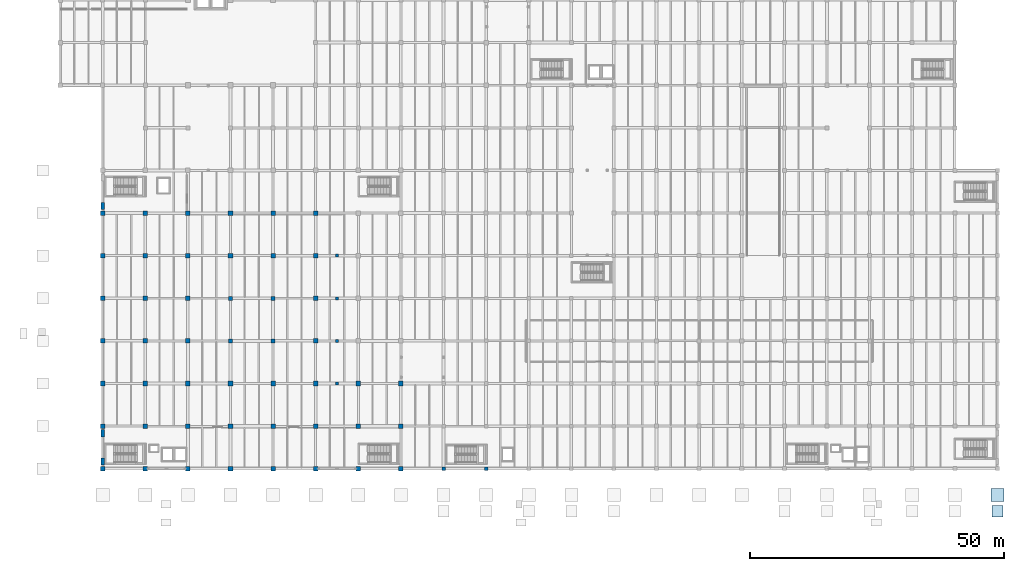
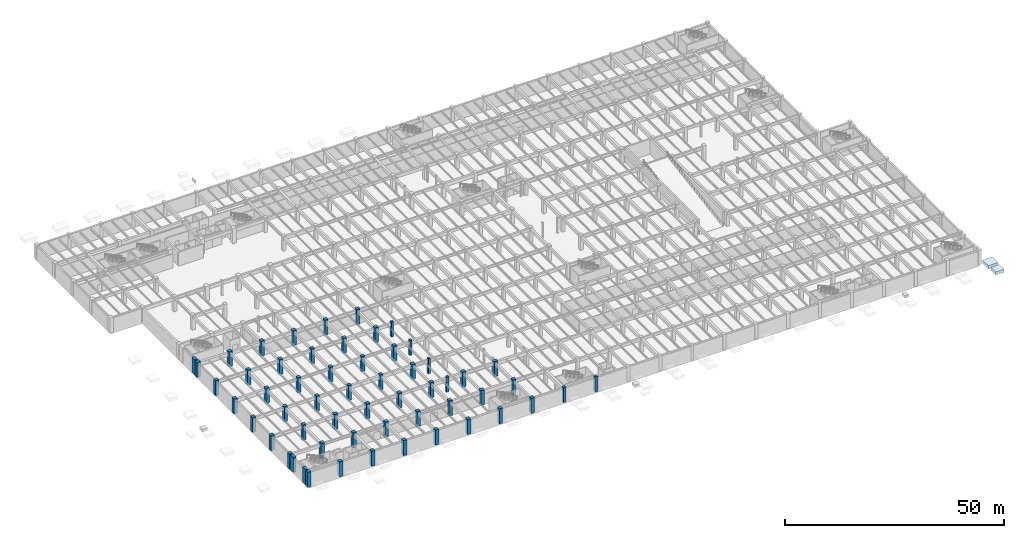
# One storey, part 2 of 63: 57 columns, 2 footings.
"""IFC4 building model written with IfcOpenShell, lengths in metres."""

from ifc_helpers import new_model, si_unit, direction, frame, origin, origin_2d, place, context, subcontext, project, spatial, rectangle, extrude, material, material_profile, profile_set, type_object, element, save


model = new_model("IFC4")

# Units and contexts
model_context = context("Model", 3, precision=1e-05, world=origin(), true_north=direction((0.0, 1.0)))
body_context = subcontext(model_context, "Body", "Model", "MODEL_VIEW")
ifc_project = project(units=[si_unit("LENGTHUNIT", "METRE"), si_unit("AREAUNIT", "SQUARE_METRE"), si_unit("VOLUMEUNIT", "CUBIC_METRE"), si_unit("PLANEANGLEUNIT", "RADIAN"), si_unit("MASSUNIT", "GRAM", prefix="KILO")], contexts=[model_context])

# Site, building, storey
site_placement = place(None, origin())
site = spatial("IfcSite", under=ifc_project, at=site_placement, CompositionType="ELEMENT")
building_placement = place(site_placement, origin())
building = spatial("IfcBuilding", under=site, at=building_placement, Name="Cumbredor Promenade Congress Hotel", CompositionType="ELEMENT")
storey_placement = place(building_placement, frame((0.0, 0.0, -4.199951171875)))
storey = spatial("IfcBuildingStorey", under=building, at=storey_placement, Name="B01", CompositionType="ELEMENT", Elevation=-4.199951171875)

# Footings
ifc_material_1 = material(Name="Concrete C40/50", Category="concrete")
footing_type_1 = type_object("IfcFootingType", Name="Concrete Pad Footing PF-01 2200x2200x800", PredefinedType="PAD_FOOTING", material=ifc_material_1)
footing_1_placement = place(storey_placement, frame((184.800048828125, 0.0, 3.10009765625), z_axis=(0.0, 0.0, 1.0), x_axis=(1.0, 0.0, 0.0)))
element("IfcFooting", 1, at=footing_1_placement, inside=storey, type_object=footing_type_1, Name="Ballroom Pavilion Eave Pad Footing X184", PredefinedType="PAD_FOOTING", context=body_context, shape_type="SweptSolid", body=[
    extrude(rectangle(XDim=2.199951171875, YDim=2.199951171875, at=origin_2d()), origin(), (0.0, 0.0, 1.0), 0.800048828125),
])
footing_type_2 = type_object("IfcFootingType", Name="Concrete Pad Footing PF-02 2600x2600x900", PredefinedType="PAD_FOOTING", material=ifc_material_1)
footing_2_placement = place(storey_placement, frame((184.800048828125, 3.199951171875, 3.0), z_axis=(0.0, 0.0, 1.0), x_axis=(1.0, 0.0, 0.0)))
element("IfcFooting", 2, at=footing_2_placement, inside=storey, type_object=footing_type_2, Name="Colonnade Pad Footing PF-030", PredefinedType="PAD_FOOTING", context=body_context, shape_type="SweptSolid", body=[
    extrude(rectangle(XDim=2.60009765625, YDim=2.60009765625, at=origin_2d()), origin(), (0.0, 0.0, 1.0), 0.89990234375),
])

# Columns
ifc_material_profile_1 = material_profile(ifc_material_1, rectangle(XDim=0.60009765625, YDim=0.60009765625, at=origin_2d()), Name="RC 600x600")
ifc_profile_set_1 = profile_set([ifc_material_profile_1], Name="Concrete C40/50")
column_type_1 = type_object("IfcColumnType", Name="COL-RC-600", PredefinedType="COLUMN", material=ifc_profile_set_1)
for number, where, z_axis, x_axis, name in (
    (3, (54.60009765625, 25.199951171875, 0.0), (0.0, 0.0, 1.0), (1.0, 0.0, 0.0), "B01 Balcony Tier Mid-Raker Column Y25"),
    (4, (54.60009765625, 33.60009765625, 0.0), (0.0, 0.0, 1.0), (1.0, 0.0, 0.0), "B01 Balcony Tier Mid-Raker Column Y33"),
    (5, (54.60009765625, 42.0, 0.0), (0.0, 0.0, 1.0), (1.0, 0.0, 0.0), "B01 Balcony Tier Mid-Raker Column Y42"),
    (6, (54.60009765625, 50.39990234375, 0.0), (0.0, 0.0, 1.0), (1.0, 0.0, 0.0), "B01 Balcony Tier Mid-Raker Column Y50"),
):
    element("IfcColumn", number, at=place(storey_placement, frame(where, z_axis=z_axis, x_axis=x_axis)), inside=storey, type_object=column_type_1, Name=name, PredefinedType="COLUMN", context=body_context, shape_type="SweptSolid", body=[
        extrude(rectangle(XDim=0.60009765625, YDim=0.60009765625, at=origin_2d()), origin(), (0.0, 0.0, 1.0), 4.199951171875),
    ])
ifc_material_profile_2 = material_profile(ifc_material_1, rectangle(XDim=0.699951171875, YDim=0.699951171875, at=origin_2d()), Name="RC 700x700")
ifc_profile_set_2 = profile_set([ifc_material_profile_2], Name="Concrete C40/50")
column_type_2 = type_object("IfcColumnType", Name="COL-RC-700", PredefinedType="COLUMN", material=ifc_profile_set_2)
for number, where, z_axis, x_axis, name in (
    (7, (75.60009765625, 8.39990234375, 0.0), (0.0, 0.0, 1.0), (1.0, 0.0, 0.0), "B01 Structural Column 114"),
    (8, (84.0, 8.39990234375, 0.0), (0.0, 0.0, 1.0), (1.0, 0.0, 0.0), "B01 Structural Column 128"),
):
    element("IfcColumn", number, at=place(storey_placement, frame(where, z_axis=z_axis, x_axis=x_axis)), inside=storey, type_object=column_type_2, Name=name, PredefinedType="COLUMN", context=body_context, shape_type="SweptSolid", body=[
        extrude(rectangle(XDim=0.699951171875, YDim=0.699951171875, at=origin_2d()), origin(), (0.0, 0.0, 1.0), 4.199951171875),
    ])
ifc_material_2 = material(Name="Concrete C50/60", Category="concrete")
ifc_material_profile_3 = material_profile(ifc_material_2, rectangle(XDim=0.800048828125, YDim=0.800048828125, at=origin_2d()), Name="RC 800x800")
ifc_profile_set_3 = profile_set([ifc_material_profile_3], Name="Concrete C50/60")
column_type_3 = type_object("IfcColumnType", Name="COL-RC-800", PredefinedType="COLUMN", material=ifc_profile_set_3)
for number, where, z_axis, x_axis, name in (
    (9, (33.60009765625, 33.60009765625, 0.0), (0.0, 0.0, 1.0), (1.0, 0.0, 0.0), "B01 Structural Column 049"),
    (10, (33.60009765625, 42.0, 0.0), (0.0, 0.0, 1.0), (1.0, 0.0, 0.0), "B01 Structural Column 050"),
    (11, (42.0, 33.60009765625, 0.0), (0.0, 0.0, 1.0), (1.0, 0.0, 0.0), "B01 Structural Column 062"),
    (12, (42.0, 42.0, 0.0), (0.0, 0.0, 1.0), (1.0, 0.0, 0.0), "B01 Structural Column 063"),
):
    element("IfcColumn", number, at=place(storey_placement, frame(where, z_axis=z_axis, x_axis=x_axis)), inside=storey, type_object=column_type_3, Name=name, PredefinedType="COLUMN", context=body_context, shape_type="SweptSolid", body=[
        extrude(rectangle(XDim=0.800048828125, YDim=0.800048828125, at=origin_2d()), origin(), (0.0, 0.0, 1.0), 4.199951171875),
    ])
ifc_material_profile_4 = material_profile(ifc_material_2, rectangle(XDim=0.89990234375, YDim=0.89990234375, at=origin_2d()), Name="RC 900x900")
ifc_profile_set_4 = profile_set([ifc_material_profile_4], Name="Concrete C50/60")
column_type_4 = type_object("IfcColumnType", Name="COL-RC-900", PredefinedType="COLUMN", material=ifc_profile_set_4)
for number, where, z_axis, x_axis, name in (
    (13, (8.39990234375, 8.39990234375, 0.0), (0.0, 0.0, 1.0), (1.0, 0.0, 0.0), "B01 Structural Column 006"),
    (14, (8.39990234375, 16.800048828125, 0.0), (0.0, 0.0, 1.0), (1.0, 0.0, 0.0), "B01 Structural Column 007"),
    (15, (8.39990234375, 25.199951171875, 0.0), (0.0, 0.0, 1.0), (1.0, 0.0, 0.0), "B01 Structural Column 008"),
    (16, (8.39990234375, 33.60009765625, 0.0), (0.0, 0.0, 1.0), (1.0, 0.0, 0.0), "B01 Structural Column 009"),
    (17, (8.39990234375, 42.0, 0.0), (0.0, 0.0, 1.0), (1.0, 0.0, 0.0), "B01 Structural Column 010"),
    (18, (8.39990234375, 50.39990234375, 0.0), (0.0, 0.0, 1.0), (1.0, 0.0, 0.0), "B01 Structural Column 011"),
    (19, (8.39990234375, 58.800048828125, 0.0), (0.0, 0.0, 1.0), (1.0, 0.0, 0.0), "B01 Structural Column 012"),
    (20, (16.800048828125, 8.39990234375, 0.0), (0.0, 0.0, 1.0), (1.0, 0.0, 0.0), "B01 Structural Column 019"),
    (21, (16.800048828125, 16.800048828125, 0.0), (0.0, 0.0, 1.0), (1.0, 0.0, 0.0), "B01 Structural Column 020"),
    (22, (16.800048828125, 25.199951171875, 0.0), (0.0, 0.0, 1.0), (1.0, 0.0, 0.0), "B01 Structural Column 021"),
    (23, (16.800048828125, 33.60009765625, 0.0), (0.0, 0.0, 1.0), (1.0, 0.0, 0.0), "B01 Structural Column 022"),
    (24, (16.800048828125, 42.0, 0.0), (0.0, 0.0, 1.0), (1.0, 0.0, 0.0), "B01 Structural Column 023"),
    (25, (16.800048828125, 50.39990234375, 0.0), (0.0, 0.0, 1.0), (1.0, 0.0, 0.0), "B01 Structural Column 024"),
    (26, (16.800048828125, 58.800048828125, 0.0), (0.0, 0.0, 1.0), (1.0, 0.0, 0.0), "B01 Structural Column 025"),
    (27, (25.199951171875, 8.39990234375, 0.0), (0.0, 0.0, 1.0), (1.0, 0.0, 0.0), "B01 Structural Column 033"),
    (28, (25.199951171875, 16.800048828125, 0.0), (0.0, 0.0, 1.0), (1.0, 0.0, 0.0), "B01 Structural Column 034"),
    (29, (25.199951171875, 25.199951171875, 0.0), (0.0, 0.0, 1.0), (1.0, 0.0, 0.0), "B01 Structural Column 035"),
    (30, (25.199951171875, 33.60009765625, 0.0), (0.0, 0.0, 1.0), (1.0, 0.0, 0.0), "B01 Structural Column 036"),
    (31, (25.199951171875, 42.0, 0.0), (0.0, 0.0, 1.0), (1.0, 0.0, 0.0), "B01 Structural Column 037"),
    (32, (25.199951171875, 50.39990234375, 0.0), (0.0, 0.0, 1.0), (1.0, 0.0, 0.0), "B01 Structural Column 038"),
    (33, (25.199951171875, 58.800048828125, 0.0), (0.0, 0.0, 1.0), (1.0, 0.0, 0.0), "B01 Structural Column 039"),
    (34, (33.60009765625, 8.39990234375, 0.0), (0.0, 0.0, 1.0), (1.0, 0.0, 0.0), "B01 Structural Column 046"),
    (35, (33.60009765625, 16.800048828125, 0.0), (0.0, 0.0, 1.0), (1.0, 0.0, 0.0), "B01 Structural Column 047"),
    (36, (33.60009765625, 25.199951171875, 0.0), (0.0, 0.0, 1.0), (1.0, 0.0, 0.0), "B01 Structural Column 048"),
    (37, (33.60009765625, 50.39990234375, 0.0), (0.0, 0.0, 1.0), (1.0, 0.0, 0.0), "B01 Structural Column 051"),
    (38, (33.60009765625, 58.800048828125, 0.0), (0.0, 0.0, 1.0), (1.0, 0.0, 0.0), "B01 Structural Column 052"),
    (39, (42.0, 8.39990234375, 0.0), (0.0, 0.0, 1.0), (1.0, 0.0, 0.0), "B01 Structural Column 059"),
    (40, (42.0, 16.800048828125, 0.0), (0.0, 0.0, 1.0), (1.0, 0.0, 0.0), "B01 Structural Column 060"),
    (41, (42.0, 25.199951171875, 0.0), (0.0, 0.0, 1.0), (1.0, 0.0, 0.0), "B01 Structural Column 061"),
    (42, (42.0, 50.39990234375, 0.0), (0.0, 0.0, 1.0), (1.0, 0.0, 0.0), "B01 Structural Column 064"),
    (43, (42.0, 58.800048828125, 0.0), (0.0, 0.0, 1.0), (1.0, 0.0, 0.0), "B01 Structural Column 065"),
    (44, (50.39990234375, 8.39990234375, 0.0), (0.0, 0.0, 1.0), (1.0, 0.0, 0.0), "B01 Structural Column 072"),
    (45, (50.39990234375, 16.800048828125, 0.0), (0.0, 0.0, 1.0), (1.0, 0.0, 0.0), "B01 Structural Column 073"),
    (46, (50.39990234375, 25.199951171875, 0.0), (0.0, 0.0, 1.0), (1.0, 0.0, 0.0), "B01 Structural Column 074"),
    (47, (50.39990234375, 33.60009765625, 0.0), (0.0, 0.0, 1.0), (1.0, 0.0, 0.0), "B01 Structural Column 075"),
    (48, (50.39990234375, 42.0, 0.0), (0.0, 0.0, 1.0), (1.0, 0.0, 0.0), "B01 Structural Column 076"),
    (49, (50.39990234375, 50.39990234375, 0.0), (0.0, 0.0, 1.0), (1.0, 0.0, 0.0), "B01 Structural Column 077"),
    (50, (50.39990234375, 58.800048828125, 0.0), (0.0, 0.0, 1.0), (1.0, 0.0, 0.0), "B01 Structural Column 078"),
    (51, (58.800048828125, 8.39990234375, 0.0), (0.0, 0.0, 1.0), (1.0, 0.0, 0.0), "B01 Structural Column 086"),
    (52, (58.800048828125, 16.800048828125, 0.0), (0.0, 0.0, 1.0), (1.0, 0.0, 0.0), "B01 Structural Column 087"),
    (53, (58.800048828125, 25.199951171875, 0.0), (0.0, 0.0, 1.0), (1.0, 0.0, 0.0), "B01 Structural Column 088"),
    (54, (67.199951171875, 8.39990234375, 0.0), (0.0, 0.0, 1.0), (1.0, 0.0, 0.0), "B01 Structural Column 100"),
    (55, (67.199951171875, 16.800048828125, 0.0), (0.0, 0.0, 1.0), (1.0, 0.0, 0.0), "B01 Structural Column 101"),
    (56, (67.199951171875, 25.199951171875, 0.0), (0.0, 0.0, 1.0), (1.0, 0.0, 0.0), "B01 Structural Column 102"),
):
    element("IfcColumn", number, at=place(storey_placement, frame(where, z_axis=z_axis, x_axis=x_axis)), inside=storey, type_object=column_type_4, Name=name, PredefinedType="COLUMN", context=body_context, shape_type="SweptSolid", body=[
        extrude(rectangle(XDim=0.89990234375, YDim=0.89990234375, at=origin_2d()), origin(), (0.0, 0.0, 1.0), 4.199951171875),
    ])
ifc_material_profile_5 = material_profile(ifc_material_2, rectangle(XDim=0.699951171875, YDim=1.39990234375, at=origin_2d()), Name="RC PILASTER 1400x700")
ifc_profile_set_5 = profile_set([ifc_material_profile_5], Name="Concrete C50/60")
column_type_5 = type_object("IfcColumnType", Name="PIL-RC-1400x700", PredefinedType="PILASTER", material=ifc_profile_set_5)
for number, where, z_axis, x_axis, name in (
    (57, (8.39990234375, 9.800048828125, 0.0), (0.0, 0.0, 1.0), (1.0, 0.0, 0.0), "B01 Acoustic Seismic Pilaster 009"),
    (58, (8.39990234375, 15.39990234375, 0.0), (0.0, 0.0, 1.0), (1.0, 0.0, 0.0), "B01 Acoustic Seismic Pilaster 010"),
    (59, (8.39990234375, 60.199951171875, 0.0), (0.0, 0.0, 1.0), (1.0, 0.0, 0.0), "B01 Acoustic Seismic Pilaster 011"),
):
    element("IfcColumn", number, at=place(storey_placement, frame(where, z_axis=z_axis, x_axis=x_axis)), inside=storey, type_object=column_type_5, Name=name, PredefinedType="PILASTER", context=body_context, shape_type="SweptSolid", body=[
        extrude(rectangle(XDim=0.699951171875, YDim=1.39990234375, at=origin_2d()), origin(), (0.0, 0.0, 1.0), 4.199951171875),
    ])

save(model, "model.ifc")
